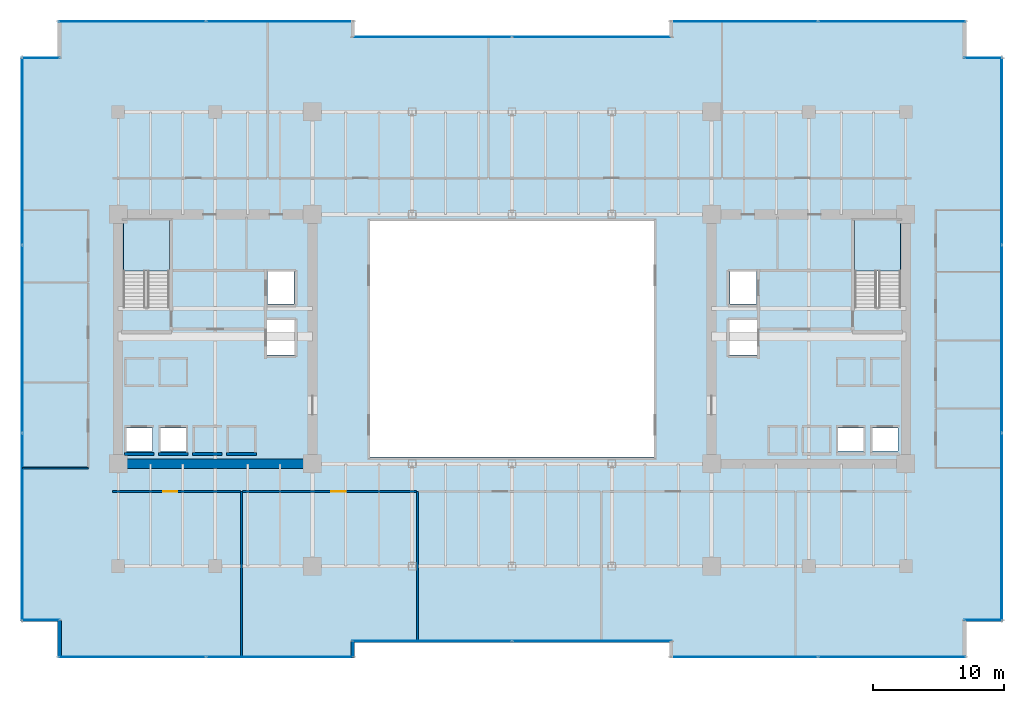
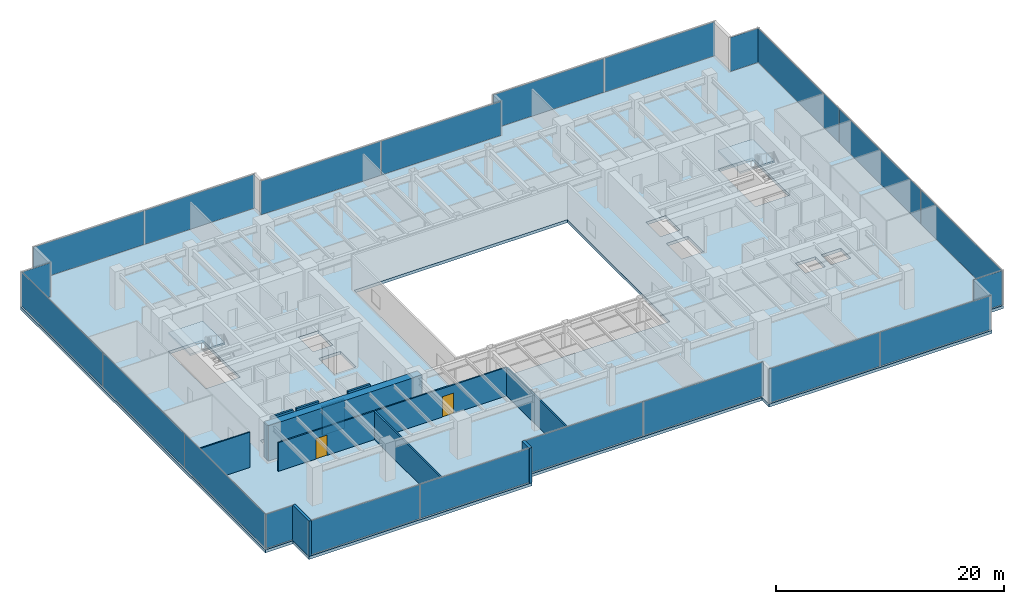
# One storey, part 28 of 35: 22 plates, 12 walls, 3 slabs, 2 doors, 2 openings, 14 elements without a shape of their own.
"""IFC4 building model written with IfcOpenShell, lengths in metres."""

from ifc_helpers import new_model, si_unit, direction, frame, frame_2d, origin, origin_2d, place, context, subcontext, project, spatial, polyline, rectangle, outline, extrude, source, transform, mapped, material, layer, layer_set, type_object, type_shapes, element, fill, aggregate, save


model = new_model("IFC4")

# Units and contexts
model_context = context("Model", 3, precision=1e-05, world=origin(), true_north=direction((0.0, 1.0)))
body_context = subcontext(model_context, "Body", "Model", "MODEL_VIEW")
ifc_project = project(units=[si_unit("LENGTHUNIT", "METRE"), si_unit("AREAUNIT", "SQUARE_METRE"), si_unit("VOLUMEUNIT", "CUBIC_METRE"), si_unit("PLANEANGLEUNIT", "RADIAN"), si_unit("MASSUNIT", "GRAM", prefix="KILO")], contexts=[model_context])

# Site, building, storey
site_placement = place(None, origin())
site = spatial("IfcSite", under=ifc_project, at=site_placement, CompositionType="ELEMENT")
building_placement = place(site_placement, origin())
building = spatial("IfcBuilding", under=site, at=building_placement, Name="Haelvirn Gate Laboratories", CompositionType="ELEMENT")
storey_placement = place(building_placement, frame((0.0, 0.0, 58.0)))
storey = spatial("IfcBuildingStorey", under=building, at=storey_placement, Name="L14", CompositionType="ELEMENT", Elevation=58.0)

# Stair, slab
ifc_material_1 = material(Name="Concrete C40/50", Category="concrete")
stair_type = type_object("IfcStairType", Name="ST-DOG-1650-R22", PredefinedType="HALF_TURN_STAIR", material=ifc_material_1)
stair_1_placement = place(storey_placement, origin())
stair_1 = element("IfcStair", 1, at=stair_1_placement, inside=storey, type_object=stair_type, Name="L14 Escape Stair ST1", PredefinedType="HALF_TURN_STAIR")
ifc_layer_1 = layer(ifc_material_1, 0.199951171875, Name="SL-STAIR-LND")
ifc_layer_set_1 = layer_set([ifc_layer_1], Name="Concrete C40/50")
slab_type_1 = type_object("IfcSlabType", Name="SL-STAIR-LND", PredefinedType="LANDING", material=ifc_layer_set_1)
slab_1_placement = place(storey_placement, frame((0.0, 0.0, 1.85009765625)))
slab_1 = element("IfcSlab", 2, at=slab_1_placement, type_object=slab_type_1, Name="ST1 landing 1", PredefinedType="LANDING", context=body_context, shape_type="SweptSolid", body=[
    extrude(outline(polyline([(11.300048828125, 29.5), (11.300048828125, 33.35009765625), (7.800048828125, 33.35009765625), (7.800048828125, 29.5), (11.300048828125, 29.5)])), origin(), (0.0, 0.0, 1.0), 0.199951171875),
])
aggregate(stair_1, [slab_1])

stair_2_placement = place(storey_placement, origin())
stair_2 = element("IfcStair", 3, at=stair_2_placement, inside=storey, type_object=stair_type, Name="L14 Escape Stair ST2", PredefinedType="HALF_TURN_STAIR")
slab_2_placement = place(storey_placement, frame((0.0, 0.0, 1.85009765625)))
slab_2 = element("IfcSlab", 4, at=slab_2_placement, type_object=slab_type_1, Name="ST2 landing 1", PredefinedType="LANDING", context=body_context, shape_type="SweptSolid", body=[
    extrude(outline(polyline([(67.0, 29.5), (67.0, 33.35009765625), (63.5, 33.35009765625), (63.5, 29.5), (67.0, 29.5)])), origin(), (0.0, 0.0, 1.0), 0.199951171875),
])
aggregate(stair_2, [slab_2])

# Slab
ifc_material_2 = material(Name="Concrete C50/60", Category="concrete")
ifc_layer_2 = layer(ifc_material_2, 0.320068359375, Name="SL-Z1-320")
ifc_layer_set_2 = layer_set([ifc_layer_2], Name="Concrete C50/60")
slab_type_2 = type_object("IfcSlabType", Name="SL-Z1-320", PredefinedType="FLOOR", material=ifc_layer_set_2)
slab_3_placement = place(storey_placement, frame((0.0, 0.0, -0.320068359375)))
element("IfcSlab", 5, at=slab_3_placement, inside=storey, type_object=slab_type_2, Name="L14 Structural Slab MAIN", PredefinedType="FLOOR", context=body_context, shape_type="SweptSolid", body=[
    extrude(outline(polyline([(2.800048828125, 0.0), (25.39990234375, 0.0), (25.39990234375, 1.199951171875), (49.39990234375, 1.199951171875), (49.39990234375, 0.0), (72.0, 0.0), (72.0, 2.800048828125), (74.800048828125, 2.800048828125), (74.800048828125, 45.800048828125), (72.0, 45.800048828125), (72.0, 48.60009765625), (49.39990234375, 48.60009765625), (49.39990234375, 47.39990234375), (25.39990234375, 47.39990234375), (25.39990234375, 48.60009765625), (2.800048828125, 48.60009765625), (2.800048828125, 45.800048828125), (0.0, 45.800048828125), (0.0, 2.800048828125), (2.800048828125, 2.800048828125), (2.800048828125, 0.0)]), holes=[polyline([(26.60009765625, 15.300048828125), (48.199951171875, 15.300048828125), (48.199951171875, 33.300048828125), (26.60009765625, 33.300048828125), (26.60009765625, 15.300048828125)]), polyline([(11.300048828125, 26.780029296875), (11.300048828125, 33.35009765625), (7.800048828125, 33.35009765625), (7.800048828125, 26.780029296875), (11.300048828125, 26.780029296875)]), polyline([(67.0, 26.780029296875), (67.0, 33.35009765625), (63.5, 33.35009765625), (63.5, 26.780029296875), (67.0, 26.780029296875)]), polyline([(7.989990234375, 15.77001953125), (10.010009765625, 15.77001953125), (10.010009765625, 17.510009765625), (7.989990234375, 17.510009765625), (7.989990234375, 15.77001953125)]), polyline([(10.590087890625, 15.77001953125), (12.610107421875, 15.77001953125), (12.610107421875, 17.510009765625), (10.590087890625, 17.510009765625), (10.590087890625, 15.77001953125)]), polyline([(18.7900390625, 26.969970703125), (20.81005859375, 26.969970703125), (20.81005859375, 29.510009765625), (18.7900390625, 29.510009765625), (18.7900390625, 26.969970703125)]), polyline([(18.68994140625, 23.070068359375), (20.909912109375, 23.070068359375), (20.909912109375, 25.81005859375), (18.68994140625, 25.81005859375), (18.68994140625, 23.070068359375)]), polyline([(64.7900390625, 15.77001953125), (66.81005859375, 15.77001953125), (66.81005859375, 17.510009765625), (64.7900390625, 17.510009765625), (64.7900390625, 15.77001953125)]), polyline([(62.18994140625, 15.77001953125), (64.2099609375, 15.77001953125), (64.2099609375, 17.510009765625), (62.18994140625, 17.510009765625), (62.18994140625, 15.77001953125)]), polyline([(53.989990234375, 26.969970703125), (56.010009765625, 26.969970703125), (56.010009765625, 29.510009765625), (53.989990234375, 29.510009765625), (53.989990234375, 26.969970703125)]), polyline([(53.889892578125, 23.070068359375), (56.110107421875, 23.070068359375), (56.110107421875, 25.81005859375), (53.889892578125, 25.81005859375), (53.889892578125, 23.070068359375)])]), origin(), (0.0, 0.0, 1.0), 0.320068359375),
])

# Curtain wall, plates
ifc_material_3 = material(Name="Anodised bronze unitised aluminium & triple low-E glass", Category="aluminium")
ifc_layer_3 = layer(ifc_material_3, 0.18408203125, Name="CW-SYS-2")
ifc_layer_set_3 = layer_set([ifc_layer_3], Name="Anodised bronze unitised aluminium & triple low-E glass")
curtain_wall_type_1 = type_object("IfcCurtainWallType", Name="CW-SYS-2", PredefinedType="NOTDEFINED", material=ifc_layer_set_3)
curtain_wall_1_placement = place(storey_placement, origin())
curtain_wall_1 = element("IfcCurtainWall", 6, at=curtain_wall_1_placement, inside=storey, type_object=curtain_wall_type_1, Name="L14 Unitised Curtain Wall CW-L14-P0-E02-1", PredefinedType="NOTDEFINED")
ifc_material_4 = material(Name="Bronze solar-control triple low-E IGU 44 mm", Category="glass")
ifc_layer_4 = layer(ifc_material_4, 0.0439453125, Name="CWP-IGU-44")
ifc_layer_set_4 = layer_set([ifc_layer_4], Name="Bronze solar-control triple low-E IGU 44 mm")
plate_type_1 = type_object("IfcPlateType", Name="CWP-IGU-44", PredefinedType="CURTAIN_PANEL", material=ifc_layer_set_4)
shared_shape_1 = source(origin(), body_context, "Body", "SweptSolid", [
    extrude(rectangle(XDim=12.12744140625, YDim=0.0439453125, at=origin_2d()), origin(), (0.0, 0.0, 1.0), 3.639892578125),
])
plate_1_placement = place(storey_placement, frame((31.298828125, 1.300048828125, 0.06982421875), z_axis=(0.0, 0.0, 1.0), x_axis=(1.0, 0.0, 0.0)))
plate_1 = element("IfcPlate", 7, at=plate_1_placement, type_object=plate_type_1, Name="CW2 panel 1.1", PredefinedType="CURTAIN_PANEL", context=body_context, shape_type="MappedRepresentation", body=[
    mapped(shared_shape_1, transform((0.0, 0.0, 0.0), scale=1.0)),
])
plate_2_placement = place(storey_placement, frame((43.501220703125, 1.300048828125, 0.06982421875), z_axis=(0.0, 0.0, 1.0), x_axis=(1.0, 0.0, 0.0)))
plate_2 = element("IfcPlate", 8, at=plate_2_placement, type_object=plate_type_1, Name="CW2 panel 2.1", PredefinedType="CURTAIN_PANEL", context=body_context, shape_type="MappedRepresentation", body=[
    mapped(shared_shape_1, transform((0.0, 0.0, 0.0), scale=1.0)),
])
aggregate(curtain_wall_1, [plate_1, plate_2])

curtain_wall_2_placement = place(storey_placement, origin())
curtain_wall_2 = element("IfcCurtainWall", 9, at=curtain_wall_2_placement, inside=storey, type_object=curtain_wall_type_1, Name="L14 Unitised Curtain Wall CW-L14-P0-E12-1", PredefinedType="NOTDEFINED")
plate_3_placement = place(storey_placement, frame((31.298828125, 47.300048828125, 0.06982421875), z_axis=(0.0, 0.0, 1.0), x_axis=(1.0, 0.0, 0.0)))
plate_3 = element("IfcPlate", 10, at=plate_3_placement, type_object=plate_type_1, Name="CW2 panel 1.1", PredefinedType="CURTAIN_PANEL", context=body_context, shape_type="MappedRepresentation", body=[
    mapped(shared_shape_1, transform((0.0, 0.0, 0.0), scale=1.0)),
])
plate_4_placement = place(storey_placement, frame((43.501220703125, 47.300048828125, 0.06982421875), z_axis=(0.0, 0.0, 1.0), x_axis=(1.0, 0.0, 0.0)))
plate_4 = element("IfcPlate", 11, at=plate_4_placement, type_object=plate_type_1, Name="CW2 panel 2.1", PredefinedType="CURTAIN_PANEL", context=body_context, shape_type="MappedRepresentation", body=[
    mapped(shared_shape_1, transform((0.0, 0.0, 0.0), scale=1.0)),
])
aggregate(curtain_wall_2, [plate_3, plate_4])

curtain_wall_3_placement = place(storey_placement, origin())
curtain_wall_3 = element("IfcCurtainWall", 12, at=curtain_wall_3_placement, inside=storey, type_object=curtain_wall_type_1, Name="L14 Unitised Curtain Wall CW-L14-P0-E00-1", PredefinedType="NOTDEFINED")
shared_shape_2 = source(origin(), body_context, "Body", "SweptSolid", [
    extrude(rectangle(XDim=11.1875, YDim=0.0439453125, at=origin_2d()), origin(), (0.0, 0.0, 1.0), 3.639892578125),
])
plate_5_placement = place(storey_placement, frame((8.46875, 0.10009765625, 0.06982421875), z_axis=(0.0, 0.0, 1.0), x_axis=(1.0, 0.0, 0.0)))
plate_5 = element("IfcPlate", 13, at=plate_5_placement, type_object=plate_type_1, Name="CW2 panel 1.1", PredefinedType="CURTAIN_PANEL", context=body_context, shape_type="MappedRepresentation", body=[
    mapped(shared_shape_2, transform((0.0, 0.0, 0.0), scale=1.0)),
])
plate_6_placement = place(storey_placement, frame((19.731201171875, 0.10009765625, 0.06982421875), z_axis=(0.0, 0.0, 1.0), x_axis=(1.0, 0.0, 0.0)))
plate_6 = element("IfcPlate", 14, at=plate_6_placement, type_object=plate_type_1, Name="CW2 panel 2.1", PredefinedType="CURTAIN_PANEL", context=body_context, shape_type="MappedRepresentation", body=[
    mapped(shared_shape_2, transform((0.0, 0.0, 0.0), scale=1.0)),
])
aggregate(curtain_wall_3, [plate_5, plate_6])

curtain_wall_4_placement = place(storey_placement, origin())
curtain_wall_4 = element("IfcCurtainWall", 15, at=curtain_wall_4_placement, inside=storey, type_object=curtain_wall_type_1, Name="L14 Unitised Curtain Wall CW-L14-P0-E04-1", PredefinedType="NOTDEFINED")
plate_7_placement = place(storey_placement, frame((55.06884765625, 0.10009765625, 0.06982421875), z_axis=(0.0, 0.0, 1.0), x_axis=(1.0, 0.0, 0.0)))
plate_7 = element("IfcPlate", 16, at=plate_7_placement, type_object=plate_type_1, Name="CW2 panel 1.1", PredefinedType="CURTAIN_PANEL", context=body_context, shape_type="MappedRepresentation", body=[
    mapped(shared_shape_2, transform((0.0, 0.0, 0.0), scale=1.0)),
])
plate_8_placement = place(storey_placement, frame((66.331298828125, 0.10009765625, 0.06982421875), z_axis=(0.0, 0.0, 1.0), x_axis=(1.0, 0.0, 0.0)))
plate_8 = element("IfcPlate", 17, at=plate_8_placement, type_object=plate_type_1, Name="CW2 panel 2.1", PredefinedType="CURTAIN_PANEL", context=body_context, shape_type="MappedRepresentation", body=[
    mapped(shared_shape_2, transform((0.0, 0.0, 0.0), scale=1.0)),
])
aggregate(curtain_wall_4, [plate_7, plate_8])

curtain_wall_5_placement = place(storey_placement, origin())
curtain_wall_5 = element("IfcCurtainWall", 18, at=curtain_wall_5_placement, inside=storey, type_object=curtain_wall_type_1, Name="L14 Unitised Curtain Wall CW-L14-P0-E10-1", PredefinedType="NOTDEFINED")
plate_9_placement = place(storey_placement, frame((55.06884765625, 48.5, 0.06982421875), z_axis=(0.0, 0.0, 1.0), x_axis=(1.0, 0.0, 0.0)))
plate_9 = element("IfcPlate", 19, at=plate_9_placement, type_object=plate_type_1, Name="CW2 panel 1.1", PredefinedType="CURTAIN_PANEL", context=body_context, shape_type="MappedRepresentation", body=[
    mapped(shared_shape_2, transform((0.0, 0.0, 0.0), scale=1.0)),
])
plate_10_placement = place(storey_placement, frame((66.331298828125, 48.5, 0.06982421875), z_axis=(0.0, 0.0, 1.0), x_axis=(1.0, 0.0, 0.0)))
plate_10 = element("IfcPlate", 20, at=plate_10_placement, type_object=plate_type_1, Name="CW2 panel 2.1", PredefinedType="CURTAIN_PANEL", context=body_context, shape_type="MappedRepresentation", body=[
    mapped(shared_shape_2, transform((0.0, 0.0, 0.0), scale=1.0)),
])
aggregate(curtain_wall_5, [plate_9, plate_10])

curtain_wall_6_placement = place(storey_placement, origin())
curtain_wall_6 = element("IfcCurtainWall", 21, at=curtain_wall_6_placement, inside=storey, type_object=curtain_wall_type_1, Name="L14 Unitised Curtain Wall CW-L14-P0-E14-1", PredefinedType="NOTDEFINED")
plate_11_placement = place(storey_placement, frame((8.46875, 48.5, 0.06982421875), z_axis=(0.0, 0.0, 1.0), x_axis=(1.0, 0.0, 0.0)))
plate_11 = element("IfcPlate", 22, at=plate_11_placement, type_object=plate_type_1, Name="CW2 panel 1.1", PredefinedType="CURTAIN_PANEL", context=body_context, shape_type="MappedRepresentation", body=[
    mapped(shared_shape_2, transform((0.0, 0.0, 0.0), scale=1.0)),
])
plate_12_placement = place(storey_placement, frame((19.731201171875, 48.5, 0.06982421875), z_axis=(0.0, 0.0, 1.0), x_axis=(1.0, 0.0, 0.0)))
plate_12 = element("IfcPlate", 23, at=plate_12_placement, type_object=plate_type_1, Name="CW2 panel 2.1", PredefinedType="CURTAIN_PANEL", context=body_context, shape_type="MappedRepresentation", body=[
    mapped(shared_shape_2, transform((0.0, 0.0, 0.0), scale=1.0)),
])
aggregate(curtain_wall_6, [plate_11, plate_12])

# Curtain wall, plate
ifc_layer_5 = layer(ifc_material_3, 0.181884765625, Name="CW-SYS-5")
ifc_layer_set_5 = layer_set([ifc_layer_5], Name="Anodised bronze unitised aluminium & triple low-E glass")
curtain_wall_type_2 = type_object("IfcCurtainWallType", Name="CW-SYS-5", PredefinedType="NOTDEFINED", material=ifc_layer_set_5)
curtain_wall_7_placement = place(storey_placement, origin())
curtain_wall_7 = element("IfcCurtainWall", 24, at=curtain_wall_7_placement, inside=storey, type_object=curtain_wall_type_2, Name="L14 Unitised Curtain Wall CW-L14-P0-E06-1", PredefinedType="NOTDEFINED")
ifc_material_5 = material(Name="Clear low-iron notched-corner triple IGU 42 mm", Category="glass")
ifc_layer_6 = layer(ifc_material_5, 0.0419921875, Name="CWP-NTC-42")
ifc_layer_set_6 = layer_set([ifc_layer_6], Name="Clear low-iron notched-corner triple IGU 42 mm")
plate_type_2 = type_object("IfcPlateType", Name="CWP-NTC-42", PredefinedType="CURTAIN_PANEL", material=ifc_layer_set_6)
shared_shape_3 = source(origin(), body_context, "Body", "SweptSolid", [
    extrude(rectangle(XDim=2.8798828125, YDim=0.0419921875, at=origin_2d()), origin(), (0.0, 0.0, 1.0), 3.64990234375),
])
type_shapes(plate_type_2, [shared_shape_3])
plate_13_placement = place(storey_placement, frame((73.280029296875, 2.89990234375, 0.06494140625), z_axis=(0.0, 0.0, 1.0), x_axis=(1.0, 0.0, 0.0)))
plate_13 = element("IfcPlate", 25, at=plate_13_placement, type_object=plate_type_2, Name="CW5 panel 1.1", PredefinedType="CURTAIN_PANEL", context=body_context, shape_type="MappedRepresentation", body=[
    mapped(shared_shape_3, transform((0.0, 0.0, 0.0), scale=1.0)),
])
aggregate(curtain_wall_7, [plate_13])

curtain_wall_8_placement = place(storey_placement, origin())
curtain_wall_8 = element("IfcCurtainWall", 26, at=curtain_wall_8_placement, inside=storey, type_object=curtain_wall_type_2, Name="L14 Unitised Curtain Wall CW-L14-P0-E08-1", PredefinedType="NOTDEFINED")
plate_14_placement = place(storey_placement, frame((73.280029296875, 45.699951171875, 0.06494140625), z_axis=(0.0, 0.0, 1.0), x_axis=(1.0, 0.0, 0.0)))
plate_14 = element("IfcPlate", 27, at=plate_14_placement, type_object=plate_type_2, Name="CW5 panel 1.1", PredefinedType="CURTAIN_PANEL", context=body_context, shape_type="MappedRepresentation", body=[
    mapped(shared_shape_3, transform((0.0, 0.0, 0.0), scale=1.0)),
])
aggregate(curtain_wall_8, [plate_14])

curtain_wall_9_placement = place(storey_placement, origin())
curtain_wall_9 = element("IfcCurtainWall", 28, at=curtain_wall_9_placement, inside=storey, type_object=curtain_wall_type_2, Name="L14 Unitised Curtain Wall CW-L14-P0-E16-1", PredefinedType="NOTDEFINED")
plate_15_placement = place(storey_placement, frame((1.52001953125, 45.699951171875, 0.06494140625), z_axis=(0.0, 0.0, 1.0), x_axis=(1.0, 0.0, 0.0)))
plate_15 = element("IfcPlate", 29, at=plate_15_placement, type_object=plate_type_2, Name="CW5 panel 1.1", PredefinedType="CURTAIN_PANEL", context=body_context, shape_type="MappedRepresentation", body=[
    mapped(shared_shape_3, transform((0.0, 0.0, 0.0), scale=1.0)),
])
aggregate(curtain_wall_9, [plate_15])

curtain_wall_10_placement = place(storey_placement, origin())
curtain_wall_10 = element("IfcCurtainWall", 30, at=curtain_wall_10_placement, inside=storey, type_object=curtain_wall_type_2, Name="L14 Unitised Curtain Wall CW-L14-P0-E18-1", PredefinedType="NOTDEFINED")
plate_16_placement = place(storey_placement, frame((1.52001953125, 2.89990234375, 0.06494140625), z_axis=(0.0, 0.0, 1.0), x_axis=(1.0, 0.0, 0.0)))
plate_16 = element("IfcPlate", 31, at=plate_16_placement, type_object=plate_type_2, Name="CW5 panel 1.1", PredefinedType="CURTAIN_PANEL", context=body_context, shape_type="MappedRepresentation", body=[
    mapped(shared_shape_3, transform((0.0, 0.0, 0.0), scale=1.0)),
])
aggregate(curtain_wall_10, [plate_16])

# Curtain wall, plates
curtain_wall_11_placement = place(storey_placement, origin())
curtain_wall_11 = element("IfcCurtainWall", 32, at=curtain_wall_11_placement, inside=storey, type_object=curtain_wall_type_1, Name="L14 Unitised Curtain Wall CW-L14-P0-E07", PredefinedType="NOTDEFINED")
shared_shape_4 = source(origin(), body_context, "Body", "SweptSolid", [
    extrude(rectangle(XDim=14.220947265625, YDim=0.0439453125, at=origin_2d()), origin(), (0.0, 0.0, 1.0), 3.639892578125),
])
plate_17_placement = place(storey_placement, frame((74.699951171875, 9.9853515625, 0.06982421875), z_axis=(0.0, 0.0, 1.0), x_axis=(0.0, 1.0, 0.0)))
plate_17 = element("IfcPlate", 33, at=plate_17_placement, type_object=plate_type_1, Name="CW2 panel 1.1", PredefinedType="CURTAIN_PANEL", context=body_context, shape_type="MappedRepresentation", body=[
    mapped(shared_shape_4, transform((0.0, 0.0, 0.0), scale=1.0)),
])
plate_18_placement = place(storey_placement, frame((74.699951171875, 38.614501953125, 0.06982421875), z_axis=(0.0, 0.0, 1.0), x_axis=(0.0, 1.0, 0.0)))
plate_18 = element("IfcPlate", 34, at=plate_18_placement, type_object=plate_type_1, Name="CW2 panel 3.1", PredefinedType="CURTAIN_PANEL", context=body_context, shape_type="MappedRepresentation", body=[
    mapped(shared_shape_4, transform((0.0, 0.0, 0.0), scale=1.0)),
])

curtain_wall_12_placement = place(storey_placement, origin())
curtain_wall_12 = element("IfcCurtainWall", 35, at=curtain_wall_12_placement, inside=storey, type_object=curtain_wall_type_1, Name="L14 Unitised Curtain Wall CW-L14-P0-E17", PredefinedType="NOTDEFINED")
plate_19_placement = place(storey_placement, frame((0.10009765625, 38.614501953125, 0.06982421875), z_axis=(0.0, 0.0, 1.0), x_axis=(0.0, -1.0, 0.0)))
plate_19 = element("IfcPlate", 36, at=plate_19_placement, type_object=plate_type_1, Name="CW2 panel 1.1", PredefinedType="CURTAIN_PANEL", context=body_context, shape_type="MappedRepresentation", body=[
    mapped(shared_shape_4, transform((0.0, 0.0, 0.0), scale=1.0)),
])
plate_20_placement = place(storey_placement, frame((0.10009765625, 9.9853515625, 0.06982421875), z_axis=(0.0, 0.0, 1.0), x_axis=(0.0, -1.0, 0.0)))
plate_20 = element("IfcPlate", 37, at=plate_20_placement, type_object=plate_type_1, Name="CW2 panel 3.1", PredefinedType="CURTAIN_PANEL", context=body_context, shape_type="MappedRepresentation", body=[
    mapped(shared_shape_4, transform((0.0, 0.0, 0.0), scale=1.0)),
])

# Plate
shared_shape_5 = source(origin(), body_context, "Body", "SweptSolid", [
    extrude(rectangle(XDim=14.25830078125, YDim=0.0439453125, at=origin_2d()), origin(), (0.0, 0.0, 1.0), 3.639892578125),
])
type_shapes(plate_type_1, [shared_shape_1, shared_shape_2, shared_shape_4, shared_shape_5])
plate_21_placement = place(storey_placement, frame((74.699951171875, 24.300048828125, 0.06982421875), z_axis=(0.0, 0.0, 1.0), x_axis=(0.0, 1.0, 0.0)))
plate_21 = element("IfcPlate", 38, at=plate_21_placement, type_object=plate_type_1, Name="CW2 panel 2.1", PredefinedType="CURTAIN_PANEL", context=body_context, shape_type="MappedRepresentation", body=[
    mapped(shared_shape_5, transform((0.0, 0.0, 0.0), scale=1.0)),
])

aggregate(curtain_wall_11, [plate_17, plate_21, plate_18])

plate_22_placement = place(storey_placement, frame((0.10009765625, 24.300048828125, 0.06982421875), z_axis=(0.0, 0.0, 1.0), x_axis=(0.0, -1.0, 0.0)))
plate_22 = element("IfcPlate", 39, at=plate_22_placement, type_object=plate_type_1, Name="CW2 panel 2.1", PredefinedType="CURTAIN_PANEL", context=body_context, shape_type="MappedRepresentation", body=[
    mapped(shared_shape_5, transform((0.0, 0.0, 0.0), scale=1.0)),
])

aggregate(curtain_wall_12, [plate_19, plate_22, plate_20])

# Walls
ifc_material_6 = material(Name="Thermally-broken bronze aluminium rainscreen & mineral wool", Category="aluminium")
ifc_layer_7 = layer(ifc_material_6, 0.280029296875, Name="EW-TERR-280")
ifc_layer_set_7 = layer_set([ifc_layer_7], Name="Thermally-broken bronze aluminium rainscreen & mineral wool")
wall_type_1 = type_object("IfcWallType", Name="EW-TERR-280", PredefinedType="STANDARD", material=ifc_layer_set_7)
wall_1_placement = place(storey_placement, frame((25.260009765625, 0.0, 0.0), z_axis=(0.0, 0.0, 1.0), x_axis=(0.0, 1.0, 0.0)))
element("IfcWall", 40, at=wall_1_placement, inside=storey, type_object=wall_type_1, Name="L14 Atrium Recess Bronze Return Wall 01", PredefinedType="STANDARD", context=body_context, shape_type="SweptSolid", body=[
    extrude(rectangle(XDim=1.2880859375, YDim=0.280029296875, at=frame_2d((0.64404296875, 0.0))), origin(), (0.0, 0.0, 1.0), 3.780029296875),
])
wall_2_placement = place(storey_placement, frame((2.93994140625, 2.887939453125, 0.0), z_axis=(0.0, 0.0, 1.0), x_axis=(0.0, -1.0, 0.0)))
element("IfcWall", 41, at=wall_2_placement, inside=storey, type_object=wall_type_1, Name="L14 Atrium Recess Bronze Return Wall 19", PredefinedType="STANDARD", context=body_context, shape_type="SweptSolid", body=[
    extrude(rectangle(XDim=2.887939453125, YDim=0.280029296875, at=frame_2d((1.44384765625, 0.0))), origin(), (0.0, 0.0, 1.0), 3.780029296875),
])
ifc_material_7 = material(Name="Double-layer acoustic gypsum laboratory partition", Category="gypsum")
ifc_layer_8 = layer(ifc_material_7, 0.159912109375, Name="IW-ACOUST-160")
ifc_layer_set_8 = layer_set([ifc_layer_8], Name="Double-layer acoustic gypsum laboratory partition")
wall_type_2 = type_object("IfcWallType", Name="IW-ACOUST-160", PredefinedType="PARTITIONING", material=ifc_layer_set_8)
wall_3_placement = place(storey_placement, frame((16.800048828125, 0.110107421875, 0.0), z_axis=(0.0, 0.0, 1.0), x_axis=(0.0, 1.0, 0.0)))
element("IfcWall", 42, at=wall_3_placement, inside=storey, type_object=wall_type_2, Name="L14 Interior Wall IW-L14-SDIV-01", PredefinedType="PARTITIONING", context=body_context, shape_type="SweptSolid", body=[
    extrude(rectangle(XDim=12.579833984375, YDim=0.159912109375, at=frame_2d((6.2900390625, 0.0))), origin(), (0.0, 0.0, 1.0), 3.014892578125),
])
wall_4_placement = place(storey_placement, frame((30.199951171875, 1.31005859375, 0.0), z_axis=(0.0, 0.0, 1.0), x_axis=(0.0, 1.0, 0.0)))
element("IfcWall", 43, at=wall_4_placement, inside=storey, type_object=wall_type_2, Name="L14 Interior Wall IW-L14-SDIV-02", PredefinedType="PARTITIONING", context=body_context, shape_type="SweptSolid", body=[
    extrude(rectangle(XDim=11.3798828125, YDim=0.159912109375, at=frame_2d((5.68994140625, 0.0))), origin(), (0.0, 0.0, 1.0), 3.014892578125),
])
ifc_material_8 = material(Name="Lightweight acoustic gypsum board partition", Category="gypsum")
ifc_layer_9 = layer(ifc_material_8, 0.1201171875, Name="IW-PART-120")
ifc_layer_set_9 = layer_set([ifc_layer_9], Name="Lightweight acoustic gypsum board partition")
wall_type_3 = type_object("IfcWallType", Name="IW-PART-120", PredefinedType="PARTITIONING", material=ifc_layer_set_9)
wall_5_placement = place(storey_placement, frame((0.110107421875, 14.465087890625, 0.0), z_axis=(0.0, 0.0, 1.0), x_axis=(1.0, 0.0, 0.0)))
element("IfcWall", 44, at=wall_5_placement, inside=storey, type_object=wall_type_3, Name="L14 Interior Wall IW-L14-WCAP-S", PredefinedType="PARTITIONING", context=body_context, shape_type="SweptSolid", body=[
    extrude(rectangle(XDim=5.019775390625, YDim=0.1201171875, at=frame_2d((2.509765625, 0.0))), origin(), (0.0, 0.0, 1.0), 3.780029296875),
])

# Wall, opening, door
ifc_material_9 = material(Name="Acoustic mineral-wool gypsum board partition", Category="gypsum")
ifc_layer_10 = layer(ifc_material_9, 0.139892578125, Name="IW-PART-140")
ifc_layer_set_10 = layer_set([ifc_layer_10], Name="Acoustic mineral-wool gypsum board partition")
wall_type_4 = type_object("IfcWallType", Name="IW-PART-140", PredefinedType="PARTITIONING", material=ifc_layer_set_10)
wall_6_placement = place(storey_placement, frame((6.97998046875, 12.68994140625, 0.0), z_axis=(0.0, 0.0, 1.0), x_axis=(1.0, 0.0, 0.0)))
wall_6 = element("IfcWall", 45, at=wall_6_placement, inside=storey, type_object=wall_type_4, Name="L14 Interior Wall IW-L14-SCORR-01", PredefinedType="PARTITIONING", context=body_context, shape_type="SweptSolid", body=[
    extrude(rectangle(XDim=9.739990234375, YDim=0.139892578125, at=frame_2d((4.8701171875, 0.0))), origin(), (0.0, 0.0, 1.0), 3.06494140625),
])
opening_1_placement = place(wall_6_placement, frame((3.843505859375, 0.0, 0.0)))
opening_1 = element("IfcOpeningElement", 46, at=opening_1_placement, cuts=wall_6, Name="Opening D1", PredefinedType="OPENING", context=body_context, shape_type="SweptSolid", body=[
    extrude(rectangle(XDim=1.10009765625, YDim=2.179931640625, at=frame_2d((0.550048828125, 1.08984375))), frame((0.0, 0.080078125, 0.0), z_axis=(0.0, -1.0, 0.0), x_axis=(1.0, 0.0, 0.0)), (0.0, 0.0, 1.0), 0.159912109375),
])
ifc_material_10 = material(Name="Vision-panel acoustic solid-core timber lab door", Category="wood")
door_type = type_object("IfcDoorType", Name="DR-LAB-1100", OperationType="NOTDEFINED", PredefinedType="DOOR", material=ifc_material_10)
shared_shape_6 = source(origin(), body_context, "Body", "SweptSolid", [
    extrude(rectangle(XDim=1.10009765625, YDim=2.179931640625, at=frame_2d((0.550048828125, 1.08984375))), frame((0.0, 0.02490234375, 0.0), z_axis=(0.0, -1.0, 0.0), x_axis=(1.0, 0.0, 0.0)), (0.0, 0.0, 1.0), 0.050048828125),
])
type_shapes(door_type, [shared_shape_6])
door_1_placement = place(opening_1_placement, origin())
door_1 = element("IfcDoor", 47, at=door_1_placement, inside=storey, type_object=door_type, Name="L14 Bioinformatics Dry-Lab Workspace Door S1", OperationType="SINGLE_SWING_LEFT", OverallHeight=2.179931640625, OverallWidth=1.10009765625, PredefinedType="DOOR", context=body_context, shape_type="MappedRepresentation", body=[
    mapped(shared_shape_6, transform((0.0, 0.0, 0.0), scale=1.0)),
])
fill(opening_1, door_1)

wall_7_placement = place(storey_placement, frame((16.8798828125, 12.68994140625, 0.0), z_axis=(0.0, 0.0, 1.0), x_axis=(1.0, 0.0, 0.0)))
wall_7 = element("IfcWall", 48, at=wall_7_placement, inside=storey, type_object=wall_type_4, Name="L14 Interior Wall IW-L14-SCORR-02", PredefinedType="PARTITIONING", context=body_context, shape_type="SweptSolid", body=[
    extrude(rectangle(XDim=13.240234375, YDim=0.139892578125, at=frame_2d((6.6201171875, 0.0))), origin(), (0.0, 0.0, 1.0), 3.06494140625),
])
opening_2_placement = place(wall_7_placement, frame((6.75634765625, 0.0, 0.0)))
opening_2 = element("IfcOpeningElement", 49, at=opening_2_placement, cuts=wall_7, Name="Opening D1", PredefinedType="OPENING", context=body_context, shape_type="SweptSolid", body=[
    extrude(rectangle(XDim=1.10009765625, YDim=2.179931640625, at=frame_2d((0.550048828125, 1.08984375))), frame((0.0, 0.080078125, 0.0), z_axis=(0.0, -1.0, 0.0), x_axis=(1.0, 0.0, 0.0)), (0.0, 0.0, 1.0), 0.159912109375),
])
door_2_placement = place(opening_2_placement, origin())
door_2 = element("IfcDoor", 50, at=door_2_placement, inside=storey, type_object=door_type, Name="L14 Translational Data Office Door S2", OperationType="SINGLE_SWING_RIGHT", OverallHeight=2.179931640625, OverallWidth=1.10009765625, PredefinedType="DOOR", context=body_context, shape_type="MappedRepresentation", body=[
    mapped(shared_shape_6, transform((0.0, 0.0, 0.0), scale=1.0)),
])
fill(opening_2, door_2)

# Walls
ifc_layer_11 = layer(ifc_material_1, 0.199951171875, Name="IW-SHAFT-200")
ifc_layer_set_11 = layer_set([ifc_layer_11], Name="Concrete C40/50")
wall_type_5 = type_object("IfcWallType", Name="IW-SHAFT-200", PredefinedType="SOLIDWALL", material=ifc_layer_set_11)
wall_8_placement = place(storey_placement, frame((7.8701171875, 15.550048828125, 0.0), z_axis=(0.0, 0.0, 1.0), x_axis=(1.0, 0.0, 0.0)))
element("IfcWall", 51, at=wall_8_placement, inside=storey, type_object=wall_type_5, Name="L14 Interior Wall IW-L14-PL1-BK", PredefinedType="SOLIDWALL", context=body_context, shape_type="SweptSolid", body=[
    extrude(rectangle(XDim=2.259765625, YDim=0.199951171875, at=frame_2d((1.1298828125, 0.0))), origin(), (0.0, 0.0, 1.0), 3.780029296875),
])
wall_9_placement = place(storey_placement, frame((10.469970703125, 15.550048828125, 0.0), z_axis=(0.0, 0.0, 1.0), x_axis=(1.0, 0.0, 0.0)))
element("IfcWall", 52, at=wall_9_placement, inside=storey, type_object=wall_type_5, Name="L14 Interior Wall IW-L14-PL2-BK", PredefinedType="SOLIDWALL", context=body_context, shape_type="SweptSolid", body=[
    extrude(rectangle(XDim=2.260009765625, YDim=0.199951171875, at=frame_2d((1.1298828125, 0.0))), origin(), (0.0, 0.0, 1.0), 3.780029296875),
])
wall_10_placement = place(storey_placement, frame((13.070068359375, 15.550048828125, 0.0), z_axis=(0.0, 0.0, 1.0), x_axis=(1.0, 0.0, 0.0)))
element("IfcWall", 53, at=wall_10_placement, inside=storey, type_object=wall_type_5, Name="L14 Interior Wall IW-L14-PL5-BK", PredefinedType="SOLIDWALL", context=body_context, shape_type="SweptSolid", body=[
    extrude(rectangle(XDim=2.260009765625, YDim=0.199951171875, at=frame_2d((1.1298828125, 0.0))), origin(), (0.0, 0.0, 1.0), 3.06494140625),
])
wall_11_placement = place(storey_placement, frame((15.669921875, 15.550048828125, 0.0), z_axis=(0.0, 0.0, 1.0), x_axis=(1.0, 0.0, 0.0)))
element("IfcWall", 54, at=wall_11_placement, inside=storey, type_object=wall_type_5, Name="L14 Interior Wall IW-L14-PL6-BK", PredefinedType="SOLIDWALL", context=body_context, shape_type="SweptSolid", body=[
    extrude(rectangle(XDim=2.260009765625, YDim=0.199951171875, at=frame_2d((1.1298828125, 0.0))), origin(), (0.0, 0.0, 1.0), 3.780029296875),
])
ifc_material_11 = material(Name="Concrete C70/85", Category="concrete")
ifc_layer_12 = layer(ifc_material_11, 0.75, Name="SW-CORE-750")
ifc_layer_set_12 = layer_set([ifc_layer_12], Name="Concrete C70/85")
wall_type_6 = type_object("IfcWallType", Name="SW-CORE-750", PredefinedType="SHEAR", material=ifc_layer_set_12)
wall_12_placement = place(storey_placement, frame((7.02490234375, 14.800048828125, 0.0), z_axis=(0.0, 0.0, 1.0), x_axis=(1.0, 0.0, 0.0)))
element("IfcWall", 55, at=wall_12_placement, inside=storey, type_object=wall_type_6, Name="L14 W Core Shear Wall S", PredefinedType="SHEAR", context=body_context, shape_type="SweptSolid", body=[
    extrude(rectangle(XDim=15.550048828125, YDim=0.75, at=frame_2d((7.77490234375, 0.0))), origin(), (0.0, 0.0, 1.0), 3.780029296875),
])

save(model, "model.ifc")
